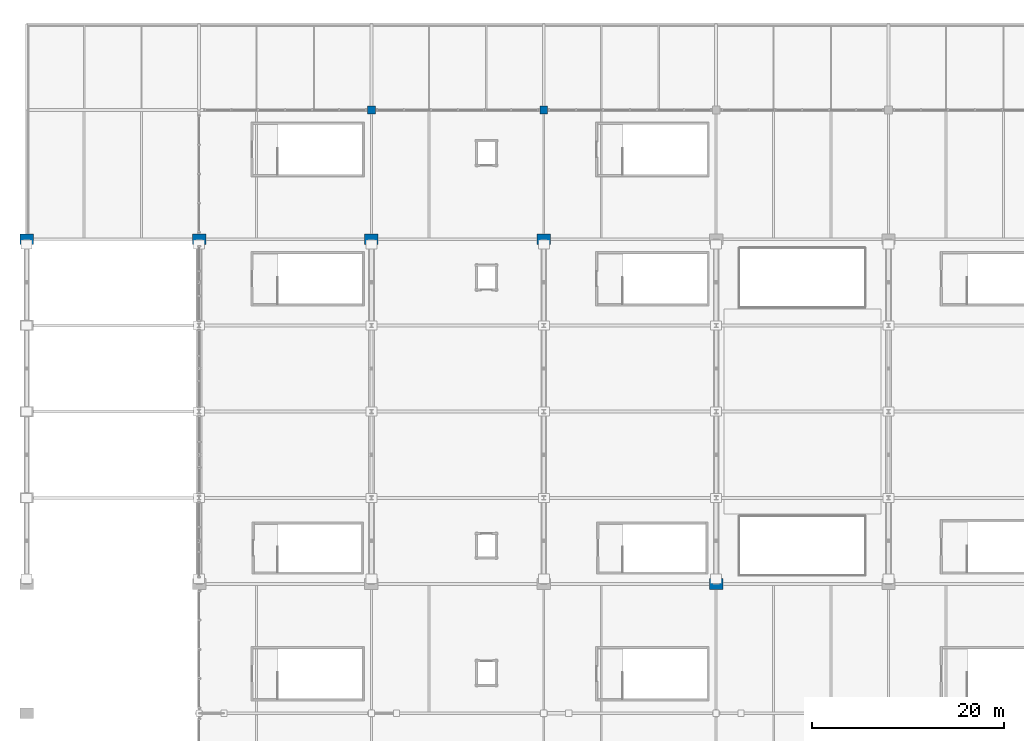
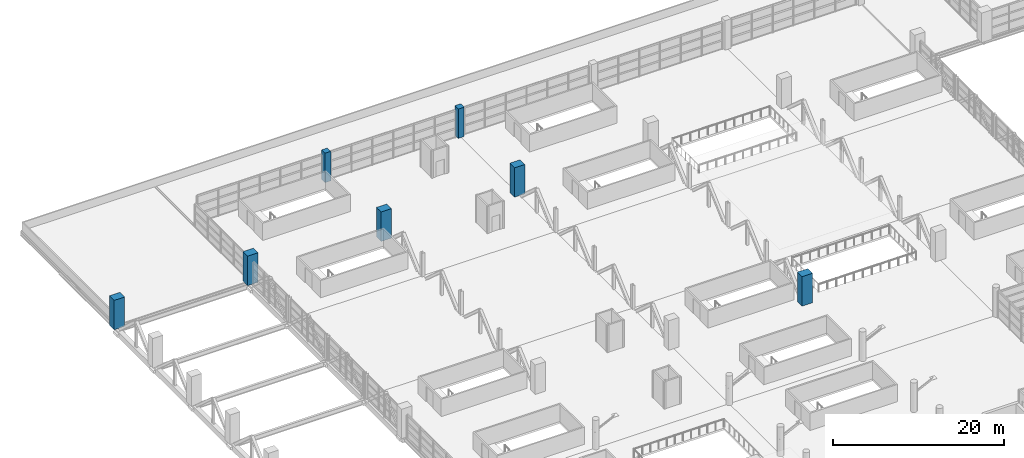
# One storey, part 4 of 136: 7 columns.
"""IFC4 building model written with IfcOpenShell, lengths in metres."""

from ifc_helpers import new_model, si_unit, direction, frame, origin, origin_2d, place, context, subcontext, project, spatial, rectangle, extrude, material, material_profile, profile_set, type_object, element, save


model = new_model("IFC4")

# Units and contexts
model_context = context("Model", 3, precision=1e-05, world=origin(), true_north=direction((0.0, 1.0)))
body_context = subcontext(model_context, "Body", "Model", "MODEL_VIEW")
ifc_project = project(units=[si_unit("LENGTHUNIT", "METRE"), si_unit("AREAUNIT", "SQUARE_METRE"), si_unit("VOLUMEUNIT", "CUBIC_METRE"), si_unit("PLANEANGLEUNIT", "RADIAN"), si_unit("MASSUNIT", "GRAM", prefix="KILO")], contexts=[model_context])

# Site, building, storey
site_placement = place(None, origin())
site = spatial("IfcSite", under=ifc_project, at=site_placement, CompositionType="ELEMENT")
building_placement = place(site_placement, origin())
building = spatial("IfcBuilding", under=site, at=building_placement, Name="Chuanluo Vaults Station", CompositionType="ELEMENT")
storey_placement = place(building_placement, frame((0.0, 0.0, 6.60009765625)))
storey = spatial("IfcBuildingStorey", under=building, at=storey_placement, Name="L01", CompositionType="ELEMENT", Elevation=6.60009765625)

# Columns
ifc_material_1 = material(Name="Concrete C40", Category="concrete")
ifc_material_profile_1 = material_profile(ifc_material_1, rectangle(XDim=0.800048828125, YDim=0.800048828125, at=origin_2d()))
ifc_profile_set_1 = profile_set([ifc_material_profile_1], Name="Concrete C40")
column_type_1 = type_object("IfcColumnType", Name="COL-RC-800x800", PredefinedType="COLUMN", material=ifc_profile_set_1)
for number, where, z_axis, x_axis, name in (
    (1, (36.0, 117.0, 0.0), (0.0, 0.0, 1.0), (1.0, 0.0, 0.0), "Column L01-033"),
    (2, (54.0, 117.0, 0.0), (0.0, 0.0, 1.0), (1.0, 0.0, 0.0), "Column L01-042"),
):
    element("IfcColumn", number, at=place(storey_placement, frame(where, z_axis=z_axis, x_axis=x_axis)), inside=storey, type_object=column_type_1, Name=name, PredefinedType="COLUMN", context=body_context, shape_type="SweptSolid", body=[
        extrude(rectangle(XDim=0.800048828125, YDim=0.800048828125, at=origin_2d()), origin(), (0.0, 0.0, 1.0), 4.199951171875),
    ])
ifc_material_2 = material(Name="Concrete C50", Category="concrete")
ifc_material_profile_2 = material_profile(ifc_material_2, rectangle(XDim=1.39990234375, YDim=1.10009765625, at=origin_2d()))
ifc_profile_set_2 = profile_set([ifc_material_profile_2], Name="Concrete C50")
column_type_2 = type_object("IfcColumnType", Name="COL-SRC-1400x1100", PredefinedType="COLUMN", material=ifc_profile_set_2)
for number, where, z_axis, x_axis, name in (
    (3, (0.0, 103.5, 0.0), (0.0, 0.0, 1.0), (1.0, 0.0, 0.0), "Column L01-012"),
    (4, (18.0, 103.5, 0.0), (0.0, 0.0, 1.0), (1.0, 0.0, 0.0), "Column L01-023"),
    (5, (36.0, 103.5, 0.0), (0.0, 0.0, 1.0), (1.0, 0.0, 0.0), "Column L01-032"),
    (6, (54.0, 103.5, 0.0), (0.0, 0.0, 1.0), (1.0, 0.0, 0.0), "Column L01-041"),
    (7, (72.0, 67.5, 0.0), (0.0, 0.0, 1.0), (1.0, 0.0, 0.0), "Column L01-049"),
):
    element("IfcColumn", number, at=place(storey_placement, frame(where, z_axis=z_axis, x_axis=x_axis)), inside=storey, type_object=column_type_2, Name=name, PredefinedType="COLUMN", context=body_context, shape_type="SweptSolid", body=[
        extrude(rectangle(XDim=1.39990234375, YDim=1.10009765625, at=origin_2d()), origin(), (0.0, 0.0, 1.0), 4.199951171875),
    ])

save(model, "model.ifc")
